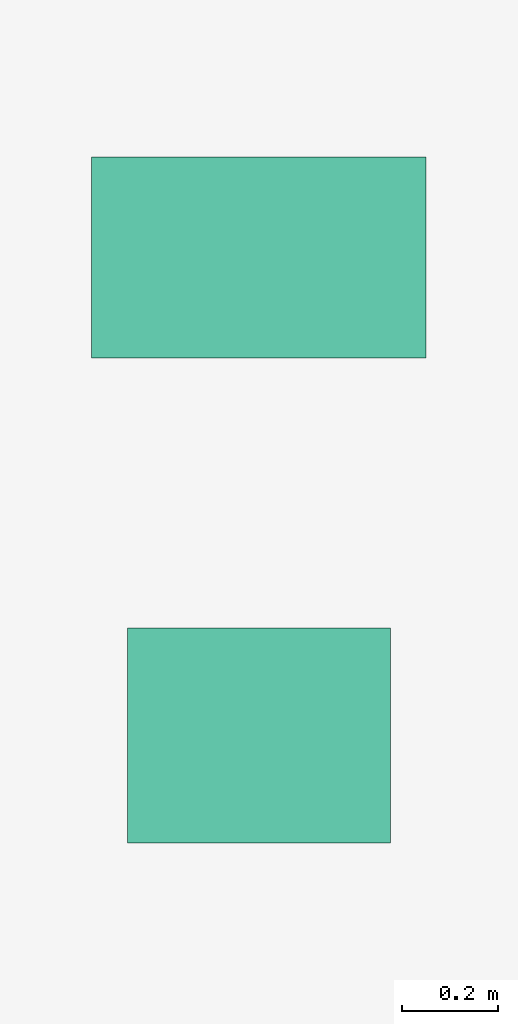
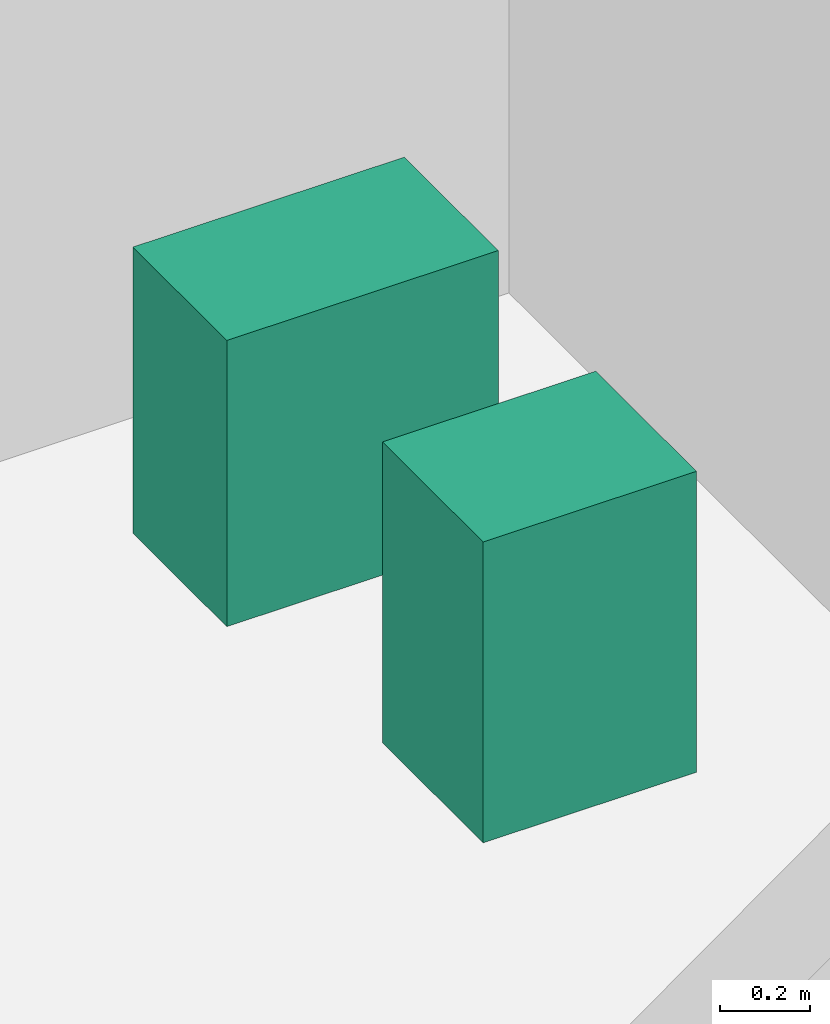
# One storey, part 25 of 25: 2 sanitary terminals.
"""IFC4 building model written with IfcOpenShell, lengths in metres."""

from ifc_helpers import new_model, si_unit, direction, frame, origin, origin_2d, place, context, subcontext, project, spatial, rectangle, extrude, source, transform, mapped, material, type_object, element, save


model = new_model("IFC4")

# Units and contexts
model_context = context("Model", 3, precision=1e-05, world=origin(), true_north=direction((0.0, 1.0)))
body_context = subcontext(model_context, "Body", "Model", "MODEL_VIEW")
ifc_project = project(units=[si_unit("LENGTHUNIT", "METRE"), si_unit("AREAUNIT", "SQUARE_METRE"), si_unit("VOLUMEUNIT", "CUBIC_METRE"), si_unit("PLANEANGLEUNIT", "RADIAN"), si_unit("MASSUNIT", "GRAM", prefix="KILO")], contexts=[model_context])

# Site, building, storey
site_placement = place(None, origin())
site = spatial("IfcSite", under=ifc_project, at=site_placement, CompositionType="ELEMENT")
building_placement = place(site_placement, origin())
building = spatial("IfcBuilding", under=site, at=building_placement, Name="Sumidabori Civic Tower", CompositionType="ELEMENT")
storey_placement = place(building_placement, frame((0.0, 0.0, 239.60009765625)))
storey = spatial("IfcBuildingStorey", under=building, at=storey_placement, Name="L62", CompositionType="ELEMENT", Elevation=239.60009765625)

# Sanitary terminals
ifc_material = material(Name="Vitreous Sanitary Porcelain")
sanitary_terminal_type_1 = type_object("IfcSanitaryTerminalType", Name="SN-WC-1", PredefinedType="TOILETPAN", material=ifc_material)
shared_shape_1 = source(origin(), body_context, "Body", "SweptSolid", [
    extrude(rectangle(XDim=0.699951171875, YDim=0.419921875, at=origin_2d()), origin(), (0.0, 0.0, 1.0), 0.780029296875),
])
sanitary_terminal_1_placement = place(storey_placement, frame((10.800048828125, 21.85009765625, 0.0), z_axis=(0.0, 0.0, 1.0), x_axis=(1.0, 0.0, 0.0)))
element("IfcSanitaryTerminal", 1, at=sanitary_terminal_1_placement, inside=storey, type_object=sanitary_terminal_type_1, Name="Accessible WC Pan L62", PredefinedType="TOILETPAN", context=body_context, shape_type="MappedRepresentation", body=[
    mapped(shared_shape_1, transform((0.0, 0.0, 0.0), x_axis=(1.0, 0.0, 0.0), y_axis=(0.0, 1.0, 0.0), z_axis=(0.0, 0.0, 1.0), scale=1.0)),
])
sanitary_terminal_type_2 = type_object("IfcSanitaryTerminalType", Name="SN-BAS-1", PredefinedType="WASHHANDBASIN", material=ifc_material)
shared_shape_2 = source(origin(), body_context, "Body", "SweptSolid", [
    extrude(rectangle(XDim=0.550048828125, YDim=0.449951171875, at=origin_2d()), origin(), (0.0, 0.0, 1.0), 0.820068359375),
])
sanitary_terminal_2_placement = place(storey_placement, frame((10.800048828125, 20.85009765625, 0.0), z_axis=(0.0, 0.0, 1.0), x_axis=(1.0, 0.0, 0.0)))
element("IfcSanitaryTerminal", 2, at=sanitary_terminal_2_placement, inside=storey, type_object=sanitary_terminal_type_2, Name="Accessible Basin L62", PredefinedType="WASHHANDBASIN", context=body_context, shape_type="MappedRepresentation", body=[
    mapped(shared_shape_2, transform((0.0, 0.0, 0.0), x_axis=(1.0, 0.0, 0.0), y_axis=(0.0, 1.0, 0.0), z_axis=(0.0, 0.0, 1.0), scale=1.0)),
])

save(model, "model.ifc")
